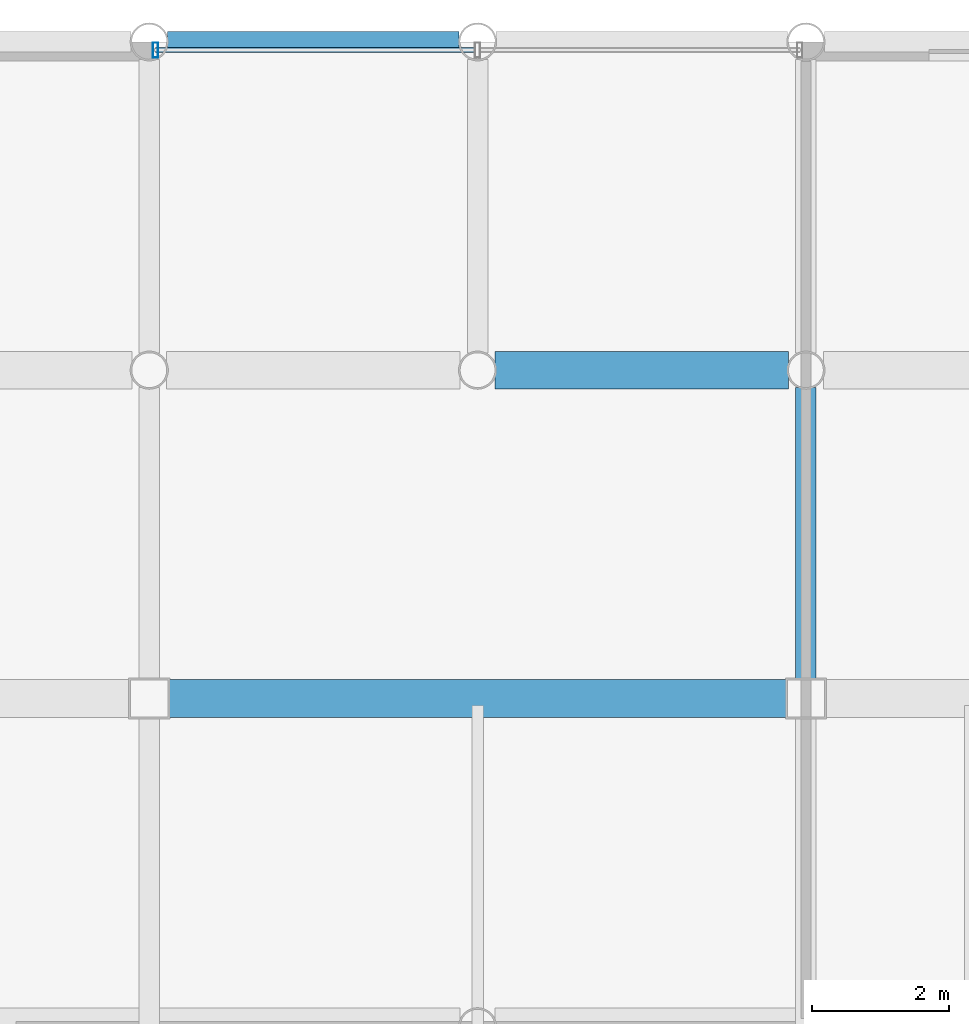
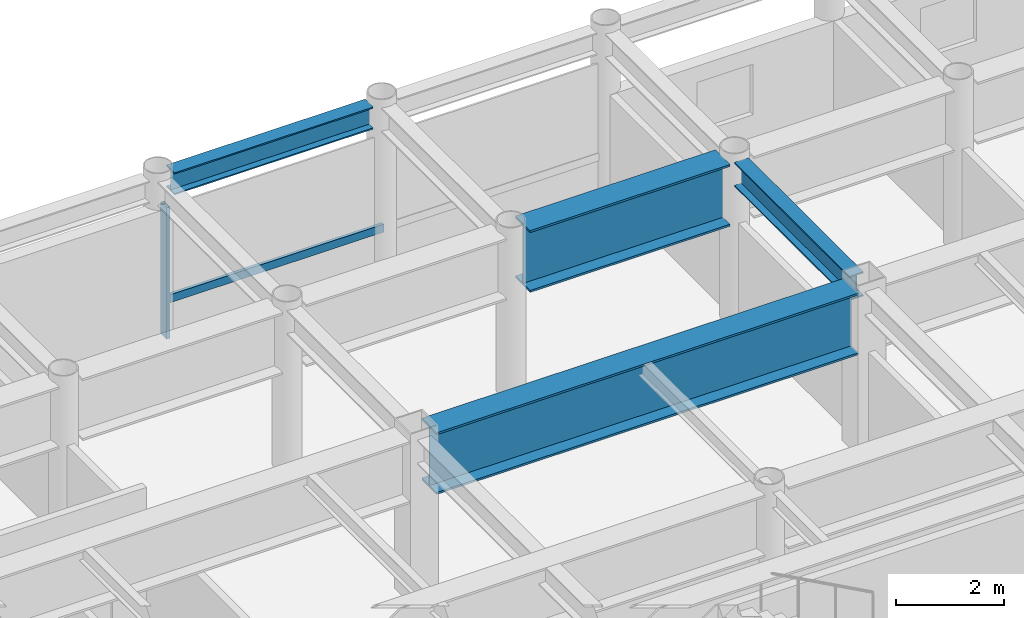
# One storey, part 14 of 27: 4 beams, 2 members, 1 element without a shape of its own.
"""IFC4 building model written with IfcOpenShell, lengths in metres."""

from ifc_helpers import new_model, si_unit, direction, frame, origin, origin_2d, place, context, subcontext, project, spatial, hollow_rectangle, i_section, extrude, material, layer, layer_set, material_profile, profile_set, type_object, element, aggregate, save


model = new_model("IFC4")

# Units and contexts
model_context = context("Model", 3, precision=1e-05, world=origin(), true_north=direction((0.0, 1.0)))
body_context = subcontext(model_context, "Body", "Model", "MODEL_VIEW")
ifc_project = project(units=[si_unit("LENGTHUNIT", "METRE"), si_unit("AREAUNIT", "SQUARE_METRE"), si_unit("VOLUMEUNIT", "CUBIC_METRE"), si_unit("PLANEANGLEUNIT", "RADIAN"), si_unit("MASSUNIT", "GRAM", prefix="KILO")], contexts=[model_context])

# Site, building, storey
site_placement = place(None, origin())
site = spatial("IfcSite", under=ifc_project, at=site_placement, CompositionType="ELEMENT")
building_placement = place(site_placement, origin())
building = spatial("IfcBuilding", under=site, at=building_placement, Name="Kallvorn Hotel Tower", CompositionType="ELEMENT")
storey_placement = place(building_placement, frame((0.0, 0.0, 245.39990234375)))
storey = spatial("IfcBuildingStorey", under=building, at=storey_placement, Name="L61", CompositionType="ELEMENT", Elevation=245.39990234375)

# Beams
ifc_material_1 = material(Name="Structural steel S355JR", Category="steel")
ifc_material_profile_1 = material_profile(ifc_material_1, i_section(OverallWidth=0.300048828125, OverallDepth=0.5, WebThickness=0.014404296875, FlangeThickness=0.028076171875, at=origin_2d()), Name="HE 500 B")
ifc_profile_set_1 = profile_set([ifc_material_profile_1], Name="Structural steel S355JR")
beam_type_1 = type_object("IfcBeamType", Name="BM_HE500B", PredefinedType="SPANDREL", material=ifc_profile_set_1)
beam_1_placement = place(storey_placement, frame((-4.530517578125, 24.0, 3.420166015625), z_axis=(1.0, 0.0, 0.0), x_axis=(0.0, 1.0, 0.0)))
element("IfcBeam", 1, at=beam_1_placement, inside=storey, type_object=beam_type_1, Name="L62 Perimeter Spandrel 177", PredefinedType="SPANDREL", context=body_context, shape_type="SweptSolid", body=[
    extrude(i_section(OverallWidth=0.300048828125, OverallDepth=0.5, WebThickness=0.014404296875, FlangeThickness=0.028076171875, at=origin_2d()), origin(), (0.0, 0.0, 1.0), 4.260986328125),
])
ifc_material_2 = material(Name="Structural steel S355JR", Category="steel")
ifc_material_profile_2 = material_profile(ifc_material_2, i_section(OverallWidth=0.300048828125, OverallDepth=0.550048828125, WebThickness=0.014892578125, FlangeThickness=0.029052734375, at=origin_2d()), Name="HE 550 B")
ifc_profile_set_2 = profile_set([ifc_material_profile_2], Name="Structural steel S355JR")
beam_type_2 = type_object("IfcBeamType", Name="BM_HE550B", PredefinedType="SPANDREL", material=ifc_profile_set_2)
beam_2_placement = place(storey_placement, frame((4.800048828125, 14.675048828125, 3.39501953125), z_axis=(0.0, 1.0, 0.0), x_axis=(-1.0, 0.0, 0.0)))
element("IfcBeam", 2, at=beam_2_placement, inside=storey, type_object=beam_type_2, Name="L62 Primary Y-Girder 125", PredefinedType="SPANDREL", context=body_context, shape_type="SweptSolid", body=[
    extrude(i_section(OverallWidth=0.300048828125, OverallDepth=0.550048828125, WebThickness=0.014892578125, FlangeThickness=0.029052734375, at=origin_2d()), origin(), (0.0, 0.0, 1.0), 4.2705078125),
])
ifc_material_3 = material(Name="Structural steel S355JR", Category="steel")
ifc_material_profile_3 = material_profile(ifc_material_3, i_section(OverallWidth=0.550048828125, OverallDepth=1.39990234375, WebThickness=0.02490234375, FlangeThickness=0.044921875, at=origin_2d()), Name="PG 1400x550x25x45")
ifc_profile_set_3 = profile_set([ifc_material_profile_3], Name="Structural steel S355JR")
beam_type_3 = type_object("IfcBeamType", Name="BM_PG_1400", PredefinedType="BEAM", material=ifc_profile_set_3)
beam_3_placement = place(storey_placement, frame((-4.52490234375, 14.39990234375, 2.97021484375), z_axis=(1.0, 0.0, 0.0), x_axis=(0.0, 1.0, 0.0)))
element("IfcBeam", 3, at=beam_3_placement, inside=storey, type_object=beam_type_3, Name="L62 Primary X-Girder 63", PredefinedType="BEAM", context=body_context, shape_type="SweptSolid", body=[
    extrude(i_section(OverallWidth=0.550048828125, OverallDepth=1.39990234375, WebThickness=0.02490234375, FlangeThickness=0.044921875, at=origin_2d()), origin(), (0.0, 0.0, 1.0), 9.0498046875),
])
beam_4_placement = place(storey_placement, frame((0.25439453125, 19.199951171875, 2.97021484375), z_axis=(1.0, 0.0, 0.0), x_axis=(0.0, 1.0, 0.0)))
element("IfcBeam", 4, at=beam_4_placement, inside=storey, type_object=beam_type_3, Name="L62 Primary X-Girder 75", PredefinedType="BEAM", context=body_context, shape_type="SweptSolid", body=[
    extrude(i_section(OverallWidth=0.550048828125, OverallDepth=1.39990234375, WebThickness=0.02490234375, FlangeThickness=0.044921875, at=origin_2d()), origin(), (0.0, 0.0, 1.0), 4.291015625),
])

# Curtain wall, members
ifc_material_4 = material(Name="Thermally broken black-anodised aluminium AA 6063-T6", Category="aluminium")
ifc_layer = layer(ifc_material_4, 0.22998046875)
ifc_layer_set = layer_set([ifc_layer], Name="CW_SYS_5_HOTEL_HIGH")
curtain_wall_type = type_object("IfcCurtainWallType", Name="CW_SYS_5_HOTEL_HIGH", PredefinedType="USERDEFINED", material=ifc_layer_set)
curtain_wall_placement = place(storey_placement, origin())
curtain_wall = element("IfcCurtainWall", 5, at=curtain_wall_placement, inside=storey, type_object=curtain_wall_type, Name="L61 Dark-Glass Curtain Wall CW-L61-NC", ObjectType="UNITISED CURTAIN WALL", PredefinedType="USERDEFINED")
ifc_material_5 = material(Name="Thermally broken black-anodised aluminium AA 6063-T6", Category="aluminium")
ifc_material_profile_4 = material_profile(ifc_material_5, hollow_rectangle(XDim=0.080078125, YDim=0.219970703125, WallThickness=0.0048828125, at=origin_2d()), Name="MUL 220x80")
ifc_profile_set_4 = profile_set([ifc_material_profile_4], Name="Thermally broken black-anodised aluminium AA 6063-T6")
member_type_1 = type_object("IfcMemberType", Name="CW_MULLION_220x80", PredefinedType="MULLION", material=ifc_profile_set_4)
member_1_placement = place(storey_placement, frame((-4.7099609375, 23.8798828125, 0.02001953125), z_axis=(0.0, 0.0, 1.0), x_axis=(1.0, 0.0, 0.0)))
member_1 = element("IfcMember", 6, at=member_1_placement, type_object=member_type_1, Name="CW-L61-NC Mullion 00", PredefinedType="MULLION", context=body_context, shape_type="SweptSolid", body=[
    extrude(hollow_rectangle(XDim=0.080078125, YDim=0.219970703125, WallThickness=0.0048828125, at=origin_2d()), origin(), (0.0, 0.0, 1.0), 2.97998046875),
])
ifc_material_6 = material(Name="Thermally broken black-anodised aluminium AA 6063-T6", Category="aluminium")
ifc_material_profile_5 = material_profile(ifc_material_6, hollow_rectangle(XDim=0.070068359375, YDim=0.179931640625, WallThickness=0.00390625, at=origin_2d()), Name="TRN 180x70")
ifc_profile_set_5 = profile_set([ifc_material_profile_5], Name="Thermally broken black-anodised aluminium AA 6063-T6")
member_type_2 = type_object("IfcMemberType", Name="CW_TRANSOM_180x70", PredefinedType="USERDEFINED", material=ifc_profile_set_5)
member_2_placement = place(storey_placement, frame((-4.7099609375, 23.8798828125, 0.85009765625), z_axis=(1.0, 0.0, 0.0), x_axis=(0.0, 1.0, 0.0)))
member_2 = element("IfcMember", 7, at=member_2_placement, type_object=member_type_2, Name="CW-L61-NC Transom 00M", ObjectType="TRANSOM", PredefinedType="USERDEFINED", context=body_context, shape_type="SweptSolid", body=[
    extrude(hollow_rectangle(XDim=0.070068359375, YDim=0.179931640625, WallThickness=0.00390625, at=origin_2d()), origin(), (0.0, 0.0, 1.0), 4.669921875),
])
aggregate(curtain_wall, [member_1, member_2])

save(model, "model.ifc")
